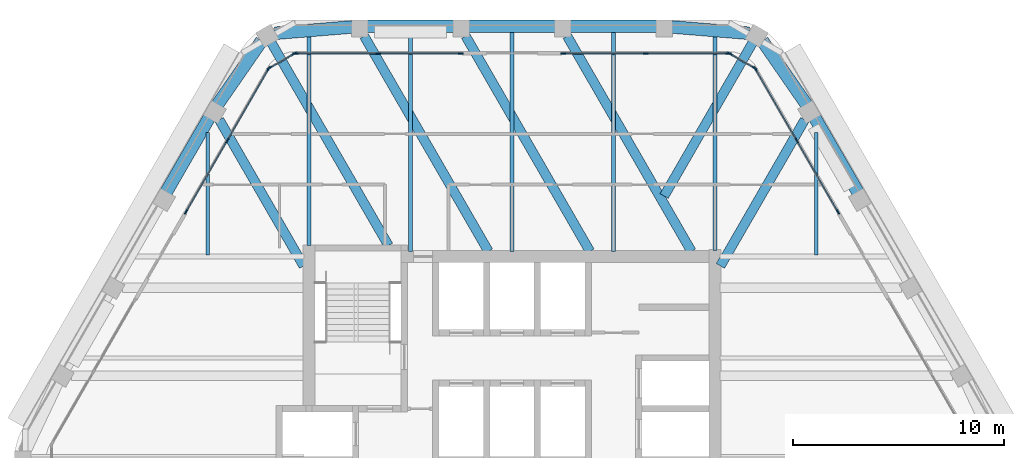
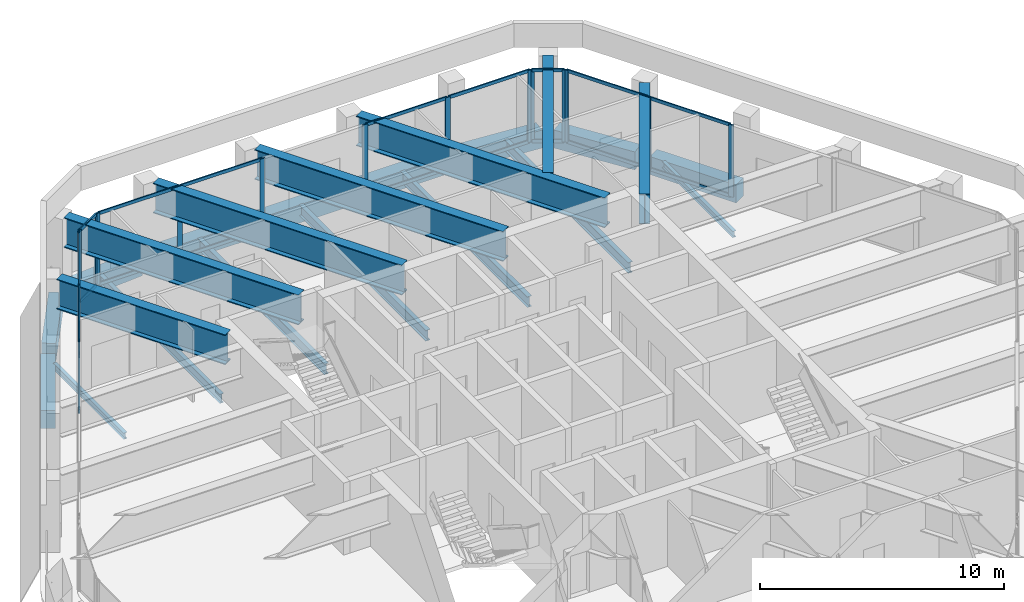
# One storey, part 5 of 14: 36 members, 23 beams, 6 elements without a shape of their own.
"""IFC4 building model written with IfcOpenShell, lengths in metres."""

from ifc_helpers import new_model, si_unit, direction, frame, origin, origin_2d, place, context, subcontext, project, spatial, rectangle, i_section, extrude, material, material_profile, profile_set, type_object, element, aggregate, save


model = new_model("IFC4")

# Units and contexts
model_context = context("Model", 3, precision=1e-05, world=origin(), true_north=direction((0.0, 1.0)))
body_context = subcontext(model_context, "Body", "Model", "MODEL_VIEW")
ifc_project = project(units=[si_unit("LENGTHUNIT", "METRE"), si_unit("AREAUNIT", "SQUARE_METRE"), si_unit("VOLUMEUNIT", "CUBIC_METRE"), si_unit("PLANEANGLEUNIT", "RADIAN"), si_unit("MASSUNIT", "GRAM", prefix="KILO")], contexts=[model_context])

# Site, building, storey
site_placement = place(None, origin())
site = spatial("IfcSite", under=ifc_project, at=site_placement, CompositionType="ELEMENT")
building_placement = place(site_placement, origin())
building = spatial("IfcBuilding", under=site, at=building_placement, Name="Kolab Exchange Tower", CompositionType="ELEMENT")
storey_placement = place(building_placement, frame((0.0, 0.0, 293.0)))
storey = spatial("IfcBuildingStorey", under=building, at=storey_placement, Name="L66", CompositionType="ELEMENT", Elevation=293.0)

# Beams
ifc_material_1 = material(Name="Steel S355", Category="steel")
ifc_material_profile_1 = material_profile(ifc_material_1, i_section(OverallWidth=0.1650390625, OverallDepth=0.31005859375, WebThickness=0.005859375, FlangeThickness=0.009765625, at=origin_2d()), Name="W310X39")
ifc_profile_set_1 = profile_set([ifc_material_profile_1], Name="Steel S355")
beam_type_1 = type_object("IfcBeamType", Name="FLOOR BEAM W310X39", PredefinedType="BEAM", material=ifc_profile_set_1)
for number, where, z_axis, x_axis, name in (
    (1, (-14.39990234375, 9.674072265625, -0.304931640625), (0.0, 1.0, 0.0), (-1.0, 0.0, 0.0), "beam/L66/fr/004"),
    (2, (14.39990234375, 9.674072265625, -0.304931640625), (0.0, 1.0, 0.0), (-1.0, 0.0, 0.0), "beam/L66/fr/019"),
):
    element("IfcBeam", number, at=place(storey_placement, frame(where, z_axis=z_axis, x_axis=x_axis)), inside=storey, type_object=beam_type_1, Name=name, PredefinedType="BEAM", context=body_context, shape_type="SweptSolid", body=[
        extrude(i_section(OverallWidth=0.1650390625, OverallDepth=0.31005859375, WebThickness=0.005859375, FlangeThickness=0.009765625, at=origin_2d()), origin(), (0.0, 0.0, 1.0), 5.793701171875),
    ])
ifc_material_profile_2 = material_profile(ifc_material_1, i_section(OverallWidth=0.18994140625, OverallDepth=0.45703125, WebThickness=0.009033203125, FlangeThickness=0.014404296875, at=origin_2d()), Name="W460X74")
ifc_profile_set_2 = profile_set([ifc_material_profile_2], Name="Steel S355")
beam_type_2 = type_object("IfcBeamType", Name="FLOOR BEAM W460X74", PredefinedType="BEAM", material=ifc_profile_set_2)
beam_1_placement = place(storey_placement, frame((-9.60009765625, 10.110107421875, -0.37841796875), z_axis=(0.0, 1.0, 0.0), x_axis=(-1.0, 0.0, 0.0)))
element("IfcBeam", 3, at=beam_1_placement, inside=storey, type_object=beam_type_2, Name="beam/L66/fr/006", PredefinedType="BEAM", context=body_context, shape_type="SweptSolid", body=[
    extrude(i_section(OverallWidth=0.18994140625, OverallDepth=0.45703125, WebThickness=0.009033203125, FlangeThickness=0.014404296875, at=origin_2d()), origin(), (0.0, 0.0, 1.0), 9.9169921875),
])
ifc_material_profile_3 = material_profile(ifc_material_1, i_section(OverallWidth=0.208984375, OverallDepth=0.532958984375, WebThickness=0.01025390625, FlangeThickness=0.015625, at=origin_2d()), Name="W530X92")
ifc_profile_set_3 = profile_set([ifc_material_profile_3], Name="Steel S355")
beam_type_3 = type_object("IfcBeamType", Name="FLOOR BEAM W530X92", PredefinedType="BEAM", material=ifc_profile_set_3)
for number, where, z_axis, x_axis, name in (
    (4, (-4.800048828125, 9.8349609375, -0.41650390625), (0.0, 1.0, 0.0), (-1.0, 0.0, 0.0), "beam/L66/fr/008"),
    (5, (0.0, 9.8349609375, -0.41650390625), (0.0, 1.0, 0.0), (-1.0, 0.0, 0.0), "beam/L66/fr/010"),
    (6, (4.800048828125, 9.8349609375, -0.41650390625), (0.0, 1.0, 0.0), (-1.0, 0.0, 0.0), "beam/L66/fr/012"),
):
    element("IfcBeam", number, at=place(storey_placement, frame(where, z_axis=z_axis, x_axis=x_axis)), inside=storey, type_object=beam_type_3, Name=name, PredefinedType="BEAM", context=body_context, shape_type="SweptSolid", body=[
        extrude(i_section(OverallWidth=0.208984375, OverallDepth=0.532958984375, WebThickness=0.01025390625, FlangeThickness=0.015625, at=origin_2d()), origin(), (0.0, 0.0, 1.0), 10.3896484375),
    ])
beam_2_placement = place(storey_placement, frame((9.60009765625, 9.885009765625, -0.41650390625), z_axis=(0.0, 1.0, 0.0), x_axis=(-1.0, 0.0, 0.0)))
element("IfcBeam", 7, at=beam_2_placement, inside=storey, type_object=beam_type_3, Name="beam/L66/fr/014", PredefinedType="BEAM", context=body_context, shape_type="SweptSolid", body=[
    extrude(i_section(OverallWidth=0.208984375, OverallDepth=0.532958984375, WebThickness=0.01025390625, FlangeThickness=0.015625, at=origin_2d()), origin(), (0.0, 0.0, 1.0), 10.14208984375),
])
ifc_material_2 = material(Name="Concrete C50/60", Category="concrete")
ifc_material_profile_4 = material_profile(ifc_material_2, rectangle(XDim=0.60009765625, YDim=0.89990234375, at=origin_2d()), Name="RC600X900")
ifc_profile_set_4 = profile_set([ifc_material_profile_4], Name="Concrete C50/60")
beam_type_4 = type_object("IfcBeamType", Name="SPANDREL BEAM 600X900 C50/60", PredefinedType="BEAM", material=ifc_profile_set_4)
beam_3_placement = place(storey_placement, frame((-11.216796875, 20.15576171875, -0.60009765625), z_axis=(0.996666751878, 0.081580547323, 0.0), x_axis=(-0.081580547323, 0.996666751878, 0.0)))
element("IfcBeam", 8, at=beam_3_placement, inside=storey, type_object=beam_type_4, Name="beam/L66/sp/F1-01", PredefinedType="BEAM", context=body_context, shape_type="SweptSolid", body=[
    extrude(rectangle(XDim=0.60009765625, YDim=0.89990234375, at=origin_2d()), origin(), (0.0, 0.0, 1.0), 3.6689453125),
])
for number, where, z_axis, x_axis, name in (
    (9, (-6.840087890625, 20.484619140625, -0.60009765625), (1.0, 0.0, 0.0), (0.0, 1.0, 0.0), "beam/L66/sp/F1-02"),
    (10, (-2.0400390625, 20.484619140625, -0.60009765625), (1.0, 0.0, 0.0), (0.0, 1.0, 0.0), "beam/L66/sp/F1-03"),
    (11, (2.760009765625, 20.484619140625, -0.60009765625), (1.0, 0.0, 0.0), (0.0, 1.0, 0.0), "beam/L66/sp/F1-04"),
):
    element("IfcBeam", number, at=place(storey_placement, frame(where, z_axis=z_axis, x_axis=x_axis)), inside=storey, type_object=beam_type_4, Name=name, PredefinedType="BEAM", context=body_context, shape_type="SweptSolid", body=[
        extrude(rectangle(XDim=0.60009765625, YDim=0.89990234375, at=origin_2d()), origin(), (0.0, 0.0, 1.0), 4.080078125),
    ])
for number, where, z_axis, x_axis, name in (
    (12, (7.56005859375, 20.455078125, -0.60009765625), (0.996666751878, -0.081580547323, 0.0), (0.081580547323, 0.996666751878, 0.0), "beam/L66/sp/F1-05"),
    (13, (11.846923828125, 19.7919921875, -0.60009765625), (0.569005808573, -0.822333502789, 0.0), (0.822333502789, 0.569005808573, 0.0), "beam/L66/sp/F2-01"),
):
    element("IfcBeam", number, at=place(storey_placement, frame(where, z_axis=z_axis, x_axis=x_axis)), inside=storey, type_object=beam_type_4, Name=name, PredefinedType="BEAM", context=body_context, shape_type="SweptSolid", body=[
        extrude(rectangle(XDim=0.60009765625, YDim=0.89990234375, at=origin_2d()), origin(), (0.0, 0.0, 1.0), 3.6689453125),
    ])
for number, where, z_axis, x_axis, name in (
    (14, (14.3203125, 16.166015625, -0.60009765625), (0.499955548806, -0.866051066172, 0.0), (0.866051066172, 0.499955548806, 0.0), "beam/L66/sp/F2-02"),
    (15, (-16.360107421875, 12.632568359375, -0.60009765625), (0.499955548806, 0.866051066172, 0.0), (-0.866051066172, 0.499955548806, 0.0), "beam/L66/sp/F6-04"),
):
    element("IfcBeam", number, at=place(storey_placement, frame(where, z_axis=z_axis, x_axis=x_axis)), inside=storey, type_object=beam_type_4, Name=name, PredefinedType="BEAM", context=body_context, shape_type="SweptSolid", body=[
        extrude(rectangle(XDim=0.60009765625, YDim=0.89990234375, at=origin_2d()), origin(), (0.0, 0.0, 1.0), 4.079833984375),
    ])
beam_4_placement = place(storey_placement, frame((-13.9345703125, 16.77490234375, -0.60009765625), z_axis=(0.569005808573, 0.822333502789, 0.0), x_axis=(-0.822333502789, 0.569005808573, 0.0)))
element("IfcBeam", 16, at=beam_4_placement, inside=storey, type_object=beam_type_4, Name="beam/L66/sp/F6-05", PredefinedType="BEAM", context=body_context, shape_type="SweptSolid", body=[
    extrude(rectangle(XDim=0.60009765625, YDim=0.89990234375, at=origin_2d()), origin(), (0.0, 0.0, 1.0), 3.6689453125),
])
ifc_material_profile_5 = material_profile(ifc_material_1, i_section(OverallWidth=0.449951171875, OverallDepth=1.5, WebThickness=0.028076171875, FlangeThickness=0.044921875, at=origin_2d()), Name="PG1500X450")
ifc_profile_set_5 = profile_set([ifc_material_profile_5], Name="Steel S355")
beam_type_5 = type_object("IfcBeamType", Name="TRANSFER GIRDER PG1500X450", PredefinedType="BEAM", material=ifc_profile_set_5)
beam_5_placement = place(storey_placement, frame((-5.840087890625, 10.115478515625, 2.85009765625), z_axis=(-0.500001167627, 0.866024729653, 0.0), x_axis=(-0.866024729653, -0.500001167627, 0.0)))
element("IfcBeam", 17, at=beam_5_placement, inside=storey, type_object=beam_type_5, Name="beam/L66/cg/F1-01", PredefinedType="BEAM", context=body_context, shape_type="SweptSolid", body=[
    extrude(i_section(OverallWidth=0.449951171875, OverallDepth=1.5, WebThickness=0.028076171875, FlangeThickness=0.044921875, at=origin_2d()), origin(), (0.0, 0.0, 1.0), 11.095703125),
])
for number, where, z_axis, x_axis, name in (
    (18, (-1.1123046875, 9.84033203125, 2.85009765625), (-0.499992759424, 0.866029584092, 0.0), (-0.866029584092, -0.499992759424, 0.0), "beam/L66/cg/F1-02"),
    (19, (3.687744140625, 9.84033203125, 2.85009765625), (-0.500008338019, 0.866020589773, 0.0), (-0.866020589773, -0.500008338019, 0.0), "beam/L66/cg/F1-03"),
    (20, (8.48779296875, 9.84033203125, 2.85009765625), (-0.500008338019, 0.866020589773, 0.0), (-0.866020589773, -0.500008338019, 0.0), "beam/L66/cg/F1-04"),
):
    element("IfcBeam", number, at=place(storey_placement, frame(where, z_axis=z_axis, x_axis=x_axis)), inside=storey, type_object=beam_type_5, Name=name, PredefinedType="BEAM", context=body_context, shape_type="SweptSolid", body=[
        extrude(i_section(OverallWidth=0.449951171875, OverallDepth=1.5, WebThickness=0.028076171875, FlangeThickness=0.044921875, at=origin_2d()), origin(), (0.0, 0.0, 1.0), 11.753662109375),
    ])
beam_6_placement = place(storey_placement, frame((7.1943359375, 12.461181640625, 2.85009765625), z_axis=(0.500005504679, 0.866022225633, 0.0), x_axis=(-0.866022225633, 0.500005504679, 0.0)))
element("IfcBeam", 21, at=beam_6_placement, inside=storey, type_object=beam_type_5, Name="beam/L66/cg/F2-01", PredefinedType="BEAM", context=body_context, shape_type="SweptSolid", body=[
    extrude(i_section(OverallWidth=0.449951171875, OverallDepth=1.5, WebThickness=0.028076171875, FlangeThickness=0.044921875, at=origin_2d()), origin(), (0.0, 0.0, 1.0), 8.38720703125),
])
for number, where, z_axis, x_axis, name in (
    (22, (9.85498046875, 9.155517578125, 2.85009765625), (0.499994510044, 0.866028573389, 0.0), (-0.866028573389, 0.499994510044, 0.0), "beam/L66/cg/F2-02"),
    (23, (-9.85498046875, 9.155517578125, 2.85009765625), (-0.499994510044, 0.866028573389, 0.0), (-0.866028573389, -0.499994510044, 0.0), "beam/L66/cg/F6-04"),
):
    element("IfcBeam", number, at=place(storey_placement, frame(where, z_axis=z_axis, x_axis=x_axis)), inside=storey, type_object=beam_type_5, Name=name, PredefinedType="BEAM", context=body_context, shape_type="SweptSolid", body=[
        extrude(i_section(OverallWidth=0.449951171875, OverallDepth=1.5, WebThickness=0.028076171875, FlangeThickness=0.044921875, at=origin_2d()), origin(), (0.0, 0.0, 1.0), 7.97509765625),
    ])

# Curtain wall, members
ifc_material_3 = material(Name="Aluminium EN AW-6063 T6", Category="aluminium")
curtain_wall_type = type_object("IfcCurtainWallType", Name="UNITISED HIGH ZONE CURTAIN WALL", PredefinedType="NOTDEFINED", material=ifc_material_3)
curtain_wall_1_placement = place(storey_placement, origin())
curtain_wall_1 = element("IfcCurtainWall", 24, at=curtain_wall_1_placement, inside=storey, type_object=curtain_wall_type, Name="cw/L66/F1-1", PredefinedType="NOTDEFINED")
ifc_material_profile_6 = material_profile(ifc_material_3, rectangle(XDim=0.06005859375, YDim=0.239990234375, at=origin_2d()), Name="RECT 60X240")
ifc_profile_set_6 = profile_set([ifc_material_profile_6], Name="Aluminium EN AW-6063 T6")
member_type_1 = type_object("IfcMemberType", Name="UNITISED HIGH ZONE MULLION 60 X 240", PredefinedType="MULLION", material=ifc_profile_set_6)
member_1_placement = place(storey_placement, frame((-10.238037109375, 19.20458984375, 0.0), z_axis=(0.0, 0.0, 1.0), x_axis=(0.0, 1.0, 0.0)))
member_1 = element("IfcMember", 25, at=member_1_placement, type_object=member_type_1, Name="CW4 mullion 1", PredefinedType="MULLION", context=body_context, shape_type="SweptSolid", body=[
    extrude(rectangle(XDim=0.06005859375, YDim=0.239990234375, at=origin_2d()), origin(), (0.0, 0.0, 1.0), 3.60009765625),
])
member_2_placement = place(storey_placement, frame((-6.333984375, 19.20458984375, 0.0), z_axis=(0.0, 0.0, 1.0), x_axis=(0.0, 1.0, 0.0)))
member_2 = element("IfcMember", 26, at=member_2_placement, type_object=member_type_1, Name="CW4 mullion 2", PredefinedType="MULLION", context=body_context, shape_type="SweptSolid", body=[
    extrude(rectangle(XDim=0.06005859375, YDim=0.239990234375, at=origin_2d()), origin(), (0.0, 0.0, 1.0), 3.60009765625),
])
member_3_placement = place(storey_placement, frame((-2.429931640625, 19.20458984375, 0.0), z_axis=(0.0, 0.0, 1.0), x_axis=(0.0, 1.0, 0.0)))
member_3 = element("IfcMember", 27, at=member_3_placement, type_object=member_type_1, Name="CW4 mullion 3", PredefinedType="MULLION", context=body_context, shape_type="SweptSolid", body=[
    extrude(rectangle(XDim=0.06005859375, YDim=0.239990234375, at=origin_2d()), origin(), (0.0, 0.0, 1.0), 3.60009765625),
])

curtain_wall_2_placement = place(storey_placement, origin())
curtain_wall_2 = element("IfcCurtainWall", 28, at=curtain_wall_2_placement, inside=storey, type_object=curtain_wall_type, Name="cw/L66/F1-2", PredefinedType="NOTDEFINED")
member_4_placement = place(storey_placement, frame((2.429931640625, 19.20458984375, 0.0), z_axis=(0.0, 0.0, 1.0), x_axis=(0.0, 1.0, 0.0)))
member_4 = element("IfcMember", 29, at=member_4_placement, type_object=member_type_1, Name="CW4 mullion 1", PredefinedType="MULLION", context=body_context, shape_type="SweptSolid", body=[
    extrude(rectangle(XDim=0.06005859375, YDim=0.239990234375, at=origin_2d()), origin(), (0.0, 0.0, 1.0), 3.60009765625),
])
member_5_placement = place(storey_placement, frame((6.333984375, 19.20458984375, 0.0), z_axis=(0.0, 0.0, 1.0), x_axis=(0.0, 1.0, 0.0)))
member_5 = element("IfcMember", 30, at=member_5_placement, type_object=member_type_1, Name="CW4 mullion 2", PredefinedType="MULLION", context=body_context, shape_type="SweptSolid", body=[
    extrude(rectangle(XDim=0.06005859375, YDim=0.239990234375, at=origin_2d()), origin(), (0.0, 0.0, 1.0), 3.60009765625),
])
member_6_placement = place(storey_placement, frame((10.238037109375, 19.20458984375, 0.0), z_axis=(0.0, 0.0, 1.0), x_axis=(0.0, 1.0, 0.0)))
member_6 = element("IfcMember", 31, at=member_6_placement, type_object=member_type_1, Name="CW4 mullion 3", PredefinedType="MULLION", context=body_context, shape_type="SweptSolid", body=[
    extrude(rectangle(XDim=0.06005859375, YDim=0.239990234375, at=origin_2d()), origin(), (0.0, 0.0, 1.0), 3.60009765625),
])

curtain_wall_3_placement = place(storey_placement, origin())
curtain_wall_3 = element("IfcCurtainWall", 32, at=curtain_wall_3_placement, inside=storey, type_object=curtain_wall_type, Name="cw/L66/F2-1", PredefinedType="NOTDEFINED")
member_7_placement = place(storey_placement, frame((11.5126953125, 18.46875, 0.0), z_axis=(0.0, 0.0, 1.0), x_axis=(0.866025385493, 0.500000031681, 0.0)))
member_7 = element("IfcMember", 33, at=member_7_placement, type_object=member_type_1, Name="CW4 mullion 1", PredefinedType="MULLION", context=body_context, shape_type="SweptSolid", body=[
    extrude(rectangle(XDim=0.06005859375, YDim=0.239990234375, at=origin_2d()), origin(), (0.0, 0.0, 1.0), 3.60009765625),
])
member_8_placement = place(storey_placement, frame((13.464599609375, 15.087646484375, 0.0), z_axis=(0.0, 0.0, 1.0), x_axis=(0.866025385493, 0.500000031681, 0.0)))
member_8 = element("IfcMember", 34, at=member_8_placement, type_object=member_type_1, Name="CW4 mullion 2", PredefinedType="MULLION", context=body_context, shape_type="SweptSolid", body=[
    extrude(rectangle(XDim=0.06005859375, YDim=0.239990234375, at=origin_2d()), origin(), (0.0, 0.0, 1.0), 3.60009765625),
])
member_9_placement = place(storey_placement, frame((15.416748046875, 11.706787109375, 0.0), z_axis=(0.0, 0.0, 1.0), x_axis=(0.866025385493, 0.500000031681, 0.0)))
member_9 = element("IfcMember", 35, at=member_9_placement, type_object=member_type_1, Name="CW4 mullion 3", PredefinedType="MULLION", context=body_context, shape_type="SweptSolid", body=[
    extrude(rectangle(XDim=0.06005859375, YDim=0.239990234375, at=origin_2d()), origin(), (0.0, 0.0, 1.0), 3.60009765625),
])

curtain_wall_4_placement = place(storey_placement, origin())
curtain_wall_4 = element("IfcCurtainWall", 36, at=curtain_wall_4_placement, inside=storey, type_object=curtain_wall_type, Name="cw/L66/F6-2", PredefinedType="NOTDEFINED")
member_10_placement = place(storey_placement, frame((-15.416748046875, 11.706787109375, 0.0), z_axis=(0.0, 0.0, 1.0), x_axis=(-0.866025385493, 0.500000031681, 0.0)))
member_10 = element("IfcMember", 37, at=member_10_placement, type_object=member_type_1, Name="CW4 mullion 1", PredefinedType="MULLION", context=body_context, shape_type="SweptSolid", body=[
    extrude(rectangle(XDim=0.06005859375, YDim=0.239990234375, at=origin_2d()), origin(), (0.0, 0.0, 1.0), 3.60009765625),
])
member_11_placement = place(storey_placement, frame((-13.464599609375, 15.087646484375, 0.0), z_axis=(0.0, 0.0, 1.0), x_axis=(-0.866025385493, 0.500000031681, 0.0)))
member_11 = element("IfcMember", 38, at=member_11_placement, type_object=member_type_1, Name="CW4 mullion 2", PredefinedType="MULLION", context=body_context, shape_type="SweptSolid", body=[
    extrude(rectangle(XDim=0.06005859375, YDim=0.239990234375, at=origin_2d()), origin(), (0.0, 0.0, 1.0), 3.60009765625),
])
member_12_placement = place(storey_placement, frame((-11.5126953125, 18.46875, 0.0), z_axis=(0.0, 0.0, 1.0), x_axis=(-0.866025385493, 0.500000031681, 0.0)))
member_12 = element("IfcMember", 39, at=member_12_placement, type_object=member_type_1, Name="CW4 mullion 3", PredefinedType="MULLION", context=body_context, shape_type="SweptSolid", body=[
    extrude(rectangle(XDim=0.06005859375, YDim=0.239990234375, at=origin_2d()), origin(), (0.0, 0.0, 1.0), 3.60009765625),
])

curtain_wall_5_placement = place(storey_placement, origin())
curtain_wall_5 = element("IfcCurtainWall", 40, at=curtain_wall_5_placement, inside=storey, type_object=curtain_wall_type, Name="cw/L66/F1F2-corner", PredefinedType="NOTDEFINED")
member_13_placement = place(storey_placement, frame((10.2939453125, 19.189697265625, 0.0), z_axis=(0.0, 0.0, 1.0), x_axis=(0.50000002237, 0.866025390869, 0.0)))
member_13 = element("IfcMember", 41, at=member_13_placement, type_object=member_type_1, Name="CW4 mullion 1", PredefinedType="MULLION", context=body_context, shape_type="SweptSolid", body=[
    extrude(rectangle(XDim=0.06005859375, YDim=0.239990234375, at=origin_2d()), origin(), (0.0, 0.0, 1.0), 3.60009765625),
])
member_14_placement = place(storey_placement, frame((11.4716796875, 18.509521484375, 0.0), z_axis=(0.0, 0.0, 1.0), x_axis=(0.50000002237, 0.866025390869, 0.0)))
member_14 = element("IfcMember", 42, at=member_14_placement, type_object=member_type_1, Name="CW4 mullion 2", PredefinedType="MULLION", context=body_context, shape_type="SweptSolid", body=[
    extrude(rectangle(XDim=0.06005859375, YDim=0.239990234375, at=origin_2d()), origin(), (0.0, 0.0, 1.0), 3.60009765625),
])

curtain_wall_6_placement = place(storey_placement, origin())
curtain_wall_6 = element("IfcCurtainWall", 43, at=curtain_wall_6_placement, inside=storey, type_object=curtain_wall_type, Name="cw/L66/F6F1-corner", PredefinedType="NOTDEFINED")
member_15_placement = place(storey_placement, frame((-11.4716796875, 18.509521484375, 0.0), z_axis=(0.0, 0.0, 1.0), x_axis=(-0.50000002237, 0.866025390869, 0.0)))
member_15 = element("IfcMember", 44, at=member_15_placement, type_object=member_type_1, Name="CW4 mullion 1", PredefinedType="MULLION", context=body_context, shape_type="SweptSolid", body=[
    extrude(rectangle(XDim=0.06005859375, YDim=0.239990234375, at=origin_2d()), origin(), (0.0, 0.0, 1.0), 3.60009765625),
])
member_16_placement = place(storey_placement, frame((-10.2939453125, 19.189697265625, 0.0), z_axis=(0.0, 0.0, 1.0), x_axis=(-0.50000002237, 0.866025390869, 0.0)))
member_16 = element("IfcMember", 45, at=member_16_placement, type_object=member_type_1, Name="CW4 mullion 2", PredefinedType="MULLION", context=body_context, shape_type="SweptSolid", body=[
    extrude(rectangle(XDim=0.06005859375, YDim=0.239990234375, at=origin_2d()), origin(), (0.0, 0.0, 1.0), 3.60009765625),
])

# Member
ifc_material_profile_7 = material_profile(ifc_material_3, rectangle(XDim=0.06005859375, YDim=0.159912109375, at=origin_2d()), Name="RECT 60X160")
ifc_profile_set_7 = profile_set([ifc_material_profile_7], Name="Aluminium EN AW-6063 T6")
member_type_2 = type_object("IfcMemberType", Name="UNITISED HIGH ZONE TRANSOM 60 X 160", PredefinedType="USERDEFINED", material=ifc_profile_set_7)
member_17_placement = place(storey_placement, frame((-10.2080078125, 19.20458984375, 0.030029296875), z_axis=(1.0, 0.0, 0.0), x_axis=(0.0, 1.0, 0.0)))
member_17 = element("IfcMember", 46, at=member_17_placement, type_object=member_type_2, Name="CW4 transom 1.1", ObjectType="TRANSOM", PredefinedType="USERDEFINED", context=body_context, shape_type="SweptSolid", body=[
    extrude(rectangle(XDim=0.06005859375, YDim=0.159912109375, at=origin_2d()), origin(), (0.0, 0.0, 1.0), 3.843994140625),
])

member_18_placement = place(storey_placement, frame((-10.2080078125, 19.20458984375, 3.570068359375), z_axis=(1.0, 0.0, 0.0), x_axis=(0.0, 1.0, 0.0)))
member_18 = element("IfcMember", 47, at=member_18_placement, type_object=member_type_2, Name="CW4 transom 1.2", ObjectType="TRANSOM", PredefinedType="USERDEFINED", context=body_context, shape_type="SweptSolid", body=[
    extrude(rectangle(XDim=0.06005859375, YDim=0.159912109375, at=origin_2d()), origin(), (0.0, 0.0, 1.0), 3.843994140625),
])

member_19_placement = place(storey_placement, frame((-6.303955078125, 19.20458984375, 0.030029296875), z_axis=(1.0, 0.0, 0.0), x_axis=(0.0, 1.0, 0.0)))
member_19 = element("IfcMember", 48, at=member_19_placement, type_object=member_type_2, Name="CW4 transom 2.1", ObjectType="TRANSOM", PredefinedType="USERDEFINED", context=body_context, shape_type="SweptSolid", body=[
    extrude(rectangle(XDim=0.06005859375, YDim=0.159912109375, at=origin_2d()), origin(), (0.0, 0.0, 1.0), 3.843994140625),
])

member_20_placement = place(storey_placement, frame((-6.303955078125, 19.20458984375, 3.570068359375), z_axis=(1.0, 0.0, 0.0), x_axis=(0.0, 1.0, 0.0)))
member_20 = element("IfcMember", 49, at=member_20_placement, type_object=member_type_2, Name="CW4 transom 2.2", ObjectType="TRANSOM", PredefinedType="USERDEFINED", context=body_context, shape_type="SweptSolid", body=[
    extrude(rectangle(XDim=0.06005859375, YDim=0.159912109375, at=origin_2d()), origin(), (0.0, 0.0, 1.0), 3.843994140625),
])

aggregate(curtain_wall_1, [member_1, member_2, member_3, member_17, member_18, member_19, member_20])

member_21_placement = place(storey_placement, frame((2.4599609375, 19.20458984375, 0.030029296875), z_axis=(1.0, 0.0, 0.0), x_axis=(0.0, 1.0, 0.0)))
member_21 = element("IfcMember", 50, at=member_21_placement, type_object=member_type_2, Name="CW4 transom 1.1", ObjectType="TRANSOM", PredefinedType="USERDEFINED", context=body_context, shape_type="SweptSolid", body=[
    extrude(rectangle(XDim=0.06005859375, YDim=0.159912109375, at=origin_2d()), origin(), (0.0, 0.0, 1.0), 3.843994140625),
])

member_22_placement = place(storey_placement, frame((2.4599609375, 19.20458984375, 3.570068359375), z_axis=(1.0, 0.0, 0.0), x_axis=(0.0, 1.0, 0.0)))
member_22 = element("IfcMember", 51, at=member_22_placement, type_object=member_type_2, Name="CW4 transom 1.2", ObjectType="TRANSOM", PredefinedType="USERDEFINED", context=body_context, shape_type="SweptSolid", body=[
    extrude(rectangle(XDim=0.06005859375, YDim=0.159912109375, at=origin_2d()), origin(), (0.0, 0.0, 1.0), 3.843994140625),
])

member_23_placement = place(storey_placement, frame((6.364013671875, 19.20458984375, 0.030029296875), z_axis=(1.0, 0.0, 0.0), x_axis=(0.0, 1.0, 0.0)))
member_23 = element("IfcMember", 52, at=member_23_placement, type_object=member_type_2, Name="CW4 transom 2.1", ObjectType="TRANSOM", PredefinedType="USERDEFINED", context=body_context, shape_type="SweptSolid", body=[
    extrude(rectangle(XDim=0.06005859375, YDim=0.159912109375, at=origin_2d()), origin(), (0.0, 0.0, 1.0), 3.843994140625),
])

member_24_placement = place(storey_placement, frame((6.364013671875, 19.20458984375, 3.570068359375), z_axis=(1.0, 0.0, 0.0), x_axis=(0.0, 1.0, 0.0)))
member_24 = element("IfcMember", 53, at=member_24_placement, type_object=member_type_2, Name="CW4 transom 2.2", ObjectType="TRANSOM", PredefinedType="USERDEFINED", context=body_context, shape_type="SweptSolid", body=[
    extrude(rectangle(XDim=0.06005859375, YDim=0.159912109375, at=origin_2d()), origin(), (0.0, 0.0, 1.0), 3.843994140625),
])

aggregate(curtain_wall_2, [member_4, member_5, member_6, member_21, member_22, member_23, member_24])

member_25_placement = place(storey_placement, frame((11.527587890625, 18.442626953125, 0.030029296875), z_axis=(0.500039492609, -0.866002601515, 0.0), x_axis=(0.866002601515, 0.500039492609, 0.0)))
member_25 = element("IfcMember", 54, at=member_25_placement, type_object=member_type_2, Name="CW4 transom 1.1", ObjectType="TRANSOM", PredefinedType="USERDEFINED", context=body_context, shape_type="SweptSolid", body=[
    extrude(rectangle(XDim=0.06005859375, YDim=0.159912109375, at=origin_2d()), origin(), (0.0, 0.0, 1.0), 3.843994140625),
])

member_26_placement = place(storey_placement, frame((11.527587890625, 18.442626953125, 3.570068359375), z_axis=(0.500039492609, -0.866002601515, 0.0), x_axis=(0.866002601515, 0.500039492609, 0.0)))
member_26 = element("IfcMember", 55, at=member_26_placement, type_object=member_type_2, Name="CW4 transom 1.2", ObjectType="TRANSOM", PredefinedType="USERDEFINED", context=body_context, shape_type="SweptSolid", body=[
    extrude(rectangle(XDim=0.06005859375, YDim=0.159912109375, at=origin_2d()), origin(), (0.0, 0.0, 1.0), 3.843994140625),
])

member_27_placement = place(storey_placement, frame((13.479736328125, 15.061767578125, 0.030029296875), z_axis=(0.499964356602, -0.866045981532, 0.0), x_axis=(0.866045981532, 0.499964356602, 0.0)))
member_27 = element("IfcMember", 56, at=member_27_placement, type_object=member_type_2, Name="CW4 transom 2.1", ObjectType="TRANSOM", PredefinedType="USERDEFINED", context=body_context, shape_type="SweptSolid", body=[
    extrude(rectangle(XDim=0.06005859375, YDim=0.159912109375, at=origin_2d()), origin(), (0.0, 0.0, 1.0), 3.843994140625),
])

member_28_placement = place(storey_placement, frame((13.479736328125, 15.061767578125, 3.570068359375), z_axis=(0.499964356602, -0.866045981532, 0.0), x_axis=(0.866045981532, 0.499964356602, 0.0)))
member_28 = element("IfcMember", 57, at=member_28_placement, type_object=member_type_2, Name="CW4 transom 2.2", ObjectType="TRANSOM", PredefinedType="USERDEFINED", context=body_context, shape_type="SweptSolid", body=[
    extrude(rectangle(XDim=0.06005859375, YDim=0.159912109375, at=origin_2d()), origin(), (0.0, 0.0, 1.0), 3.843994140625),
])

aggregate(curtain_wall_3, [member_7, member_8, member_9, member_25, member_26, member_27, member_28])

member_29_placement = place(storey_placement, frame((-15.401611328125, 11.732666015625, 0.030029296875), z_axis=(0.499964356602, 0.866045981532, 0.0), x_axis=(-0.866045981532, 0.499964356602, 0.0)))
member_29 = element("IfcMember", 58, at=member_29_placement, type_object=member_type_2, Name="CW4 transom 1.1", ObjectType="TRANSOM", PredefinedType="USERDEFINED", context=body_context, shape_type="SweptSolid", body=[
    extrude(rectangle(XDim=0.06005859375, YDim=0.159912109375, at=origin_2d()), origin(), (0.0, 0.0, 1.0), 3.843994140625),
])

member_30_placement = place(storey_placement, frame((-15.401611328125, 11.732666015625, 3.570068359375), z_axis=(0.499964356602, 0.866045981532, 0.0), x_axis=(-0.866045981532, 0.499964356602, 0.0)))
member_30 = element("IfcMember", 59, at=member_30_placement, type_object=member_type_2, Name="CW4 transom 1.2", ObjectType="TRANSOM", PredefinedType="USERDEFINED", context=body_context, shape_type="SweptSolid", body=[
    extrude(rectangle(XDim=0.06005859375, YDim=0.159912109375, at=origin_2d()), origin(), (0.0, 0.0, 1.0), 3.843994140625),
])

member_31_placement = place(storey_placement, frame((-13.44970703125, 15.11376953125, 0.030029296875), z_axis=(0.500039492609, 0.866002601515, 0.0), x_axis=(-0.866002601515, 0.500039492609, 0.0)))
member_31 = element("IfcMember", 60, at=member_31_placement, type_object=member_type_2, Name="CW4 transom 2.1", ObjectType="TRANSOM", PredefinedType="USERDEFINED", context=body_context, shape_type="SweptSolid", body=[
    extrude(rectangle(XDim=0.06005859375, YDim=0.159912109375, at=origin_2d()), origin(), (0.0, 0.0, 1.0), 3.843994140625),
])

member_32_placement = place(storey_placement, frame((-13.44970703125, 15.11376953125, 3.570068359375), z_axis=(0.500039492609, 0.866002601515, 0.0), x_axis=(-0.866002601515, 0.500039492609, 0.0)))
member_32 = element("IfcMember", 61, at=member_32_placement, type_object=member_type_2, Name="CW4 transom 2.2", ObjectType="TRANSOM", PredefinedType="USERDEFINED", context=body_context, shape_type="SweptSolid", body=[
    extrude(rectangle(XDim=0.06005859375, YDim=0.159912109375, at=origin_2d()), origin(), (0.0, 0.0, 1.0), 3.843994140625),
])

aggregate(curtain_wall_4, [member_10, member_11, member_12, member_29, member_30, member_31, member_32])

member_33_placement = place(storey_placement, frame((10.31982421875, 19.174560546875, 0.030029296875), z_axis=(0.866085525409, -0.49989585183, 0.0), x_axis=(0.49989585183, 0.866085525409, 0.0)))
member_33 = element("IfcMember", 62, at=member_33_placement, type_object=member_type_2, Name="CW4 transom 1.1", ObjectType="TRANSOM", PredefinedType="USERDEFINED", context=body_context, shape_type="SweptSolid", body=[
    extrude(rectangle(XDim=0.06005859375, YDim=0.159912109375, at=origin_2d()), origin(), (0.0, 0.0, 1.0), 1.300048828125),
])

member_34_placement = place(storey_placement, frame((10.31982421875, 19.174560546875, 3.570068359375), z_axis=(0.866085525409, -0.49989585183, 0.0), x_axis=(0.49989585183, 0.866085525409, 0.0)))
member_34 = element("IfcMember", 63, at=member_34_placement, type_object=member_type_2, Name="CW4 transom 1.2", ObjectType="TRANSOM", PredefinedType="USERDEFINED", context=body_context, shape_type="SweptSolid", body=[
    extrude(rectangle(XDim=0.06005859375, YDim=0.159912109375, at=origin_2d()), origin(), (0.0, 0.0, 1.0), 1.300048828125),
])

aggregate(curtain_wall_5, [member_13, member_14, member_33, member_34])

member_35_placement = place(storey_placement, frame((-11.44580078125, 18.524658203125, 0.030029296875), z_axis=(0.866085525409, 0.49989585183, 0.0), x_axis=(-0.49989585183, 0.866085525409, 0.0)))
member_35 = element("IfcMember", 64, at=member_35_placement, type_object=member_type_2, Name="CW4 transom 1.1", ObjectType="TRANSOM", PredefinedType="USERDEFINED", context=body_context, shape_type="SweptSolid", body=[
    extrude(rectangle(XDim=0.06005859375, YDim=0.159912109375, at=origin_2d()), origin(), (0.0, 0.0, 1.0), 1.300048828125),
])

member_36_placement = place(storey_placement, frame((-11.44580078125, 18.524658203125, 3.570068359375), z_axis=(0.866085525409, 0.49989585183, 0.0), x_axis=(-0.49989585183, 0.866085525409, 0.0)))
member_36 = element("IfcMember", 65, at=member_36_placement, type_object=member_type_2, Name="CW4 transom 1.2", ObjectType="TRANSOM", PredefinedType="USERDEFINED", context=body_context, shape_type="SweptSolid", body=[
    extrude(rectangle(XDim=0.06005859375, YDim=0.159912109375, at=origin_2d()), origin(), (0.0, 0.0, 1.0), 1.300048828125),
])

aggregate(curtain_wall_6, [member_15, member_16, member_35, member_36])

save(model, "model.ifc")
